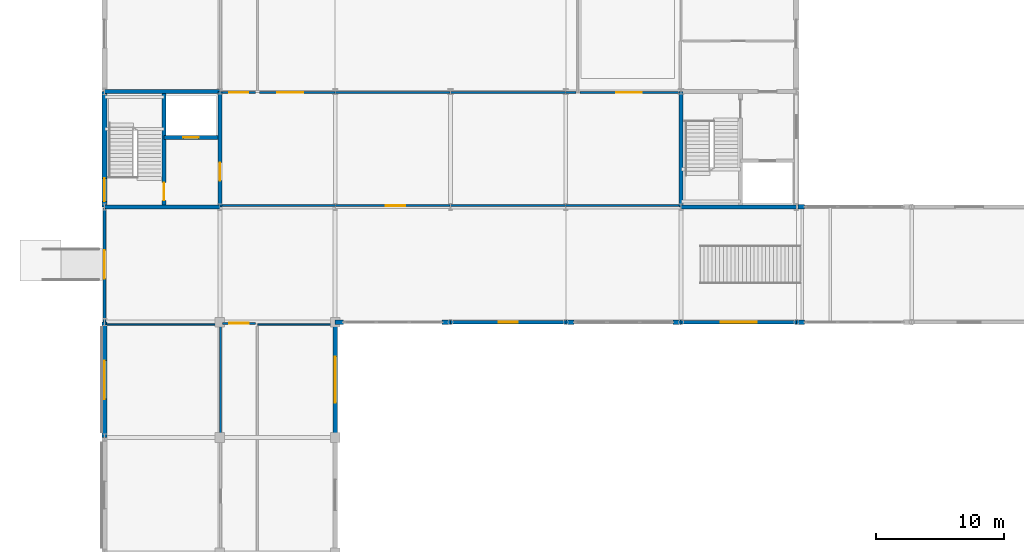
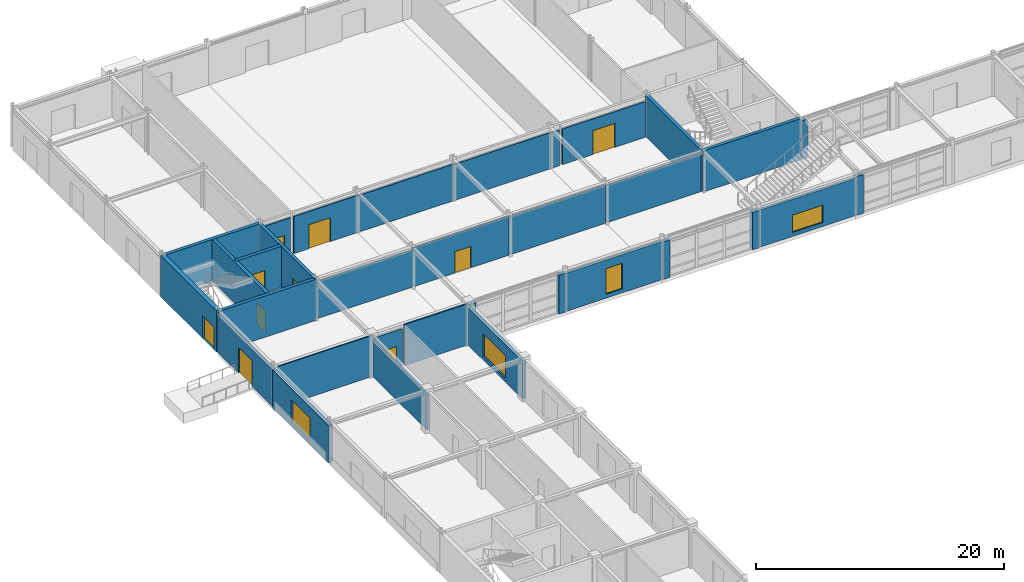
# One storey, part 61 of 72: 33 walls, 10 doors, 4 windows, 14 openings.
"""IFC4 building model written with IfcOpenShell, lengths in metres."""

from ifc_helpers import new_model, si_unit, direction, frame, frame_2d, origin, place, context, subcontext, project, spatial, rectangle, extrude, material, layer, layer_set, type_object, element, fill, save


model = new_model("IFC4")

# Units and contexts
model_context = context("Model", 3, precision=1e-05, world=origin(), true_north=direction((0.0, 1.0)))
body_context = subcontext(model_context, "Body", "Model", "MODEL_VIEW")
ifc_project = project(units=[si_unit("LENGTHUNIT", "METRE"), si_unit("AREAUNIT", "SQUARE_METRE"), si_unit("VOLUMEUNIT", "CUBIC_METRE"), si_unit("PLANEANGLEUNIT", "RADIAN"), si_unit("MASSUNIT", "GRAM", prefix="KILO")], contexts=[model_context])

# Site, building, storey
site_placement = place(None, origin())
site = spatial("IfcSite", under=ifc_project, at=site_placement, CompositionType="ELEMENT")
building_placement = place(site_placement, origin())
building = spatial("IfcBuilding", under=site, at=building_placement, Name="Palais des Congres Ocreval", CompositionType="ELEMENT")
storey_placement = place(building_placement, origin())
storey = spatial("IfcBuildingStorey", under=building, at=storey_placement, Name="L00", CompositionType="ELEMENT", Elevation=0.0)

# Wall, opening, door
ifc_material_1 = material(Name="Concrete C40/50", Category="concrete")
ifc_layer_1 = layer(ifc_material_1, 0.419921875)
ifc_layer_set_1 = layer_set([ifc_layer_1], Name="Congress Stone Facade Wall 420 Concrete C40/50")
wall_type_1 = type_object("IfcWallType", Name="Congress Stone Facade Wall 420 Concrete C40/50", PredefinedType="SOLIDWALL", material=ifc_layer_set_1)
wall_1_placement = place(storey_placement, frame((0.0, 81.0, 0.0), z_axis=(0.0, 0.0, 1.0), x_axis=(0.0, 1.0, 0.0)))
wall_1 = element("IfcWall", 1, at=wall_1_placement, inside=storey, type_object=wall_type_1, Name="Core Perimeter Shear Wall EW02 SC05 L00", PredefinedType="SOLIDWALL", context=body_context, shape_type="SweptSolid", body=[
    extrude(rectangle(XDim=9.0, YDim=0.419921875, at=frame_2d((4.5, 0.0))), origin(), (0.0, 0.0, 1.0), 4.054931640625),
])
opening_1_placement = place(wall_1_placement, frame((0.425048828125, 0.0, 0.0)))
opening_1 = element("IfcOpeningElement", 2, at=opening_1_placement, cuts=wall_1, Name="Opening ED04", PredefinedType="OPENING", context=body_context, shape_type="SweptSolid", body=[
    extrude(rectangle(XDim=1.800048828125, YDim=2.199951171875, at=frame_2d((0.89990234375, 1.10009765625))), frame((0.0, 0.219970703125, 0.0), z_axis=(0.0, -1.0, 0.0), x_axis=(1.0, 0.0, 0.0)), (0.0, 0.0, 1.0), 0.43994140625),
])
ifc_material_2 = material(Name="Anodized bronze aluminium and safety glass", Category="aluminium")
door_type_1 = type_object("IfcDoorType", Name="Stair Street Discharge Door 1800x2200", OperationType="NOTDEFINED", PredefinedType="DOOR", material=ifc_material_2)
door_1_placement = place(opening_1_placement, origin())
door_1 = element("IfcDoor", 3, at=door_1_placement, inside=storey, type_object=door_type_1, Name="Stair Final Exit Discharge Door ST05", OperationType="DOUBLE_DOOR_SINGLE_SWING", OverallHeight=2.199951171875, OverallWidth=1.800048828125, PredefinedType="DOOR", context=body_context, shape_type="SweptSolid", body=[
    extrude(rectangle(XDim=1.800048828125, YDim=2.199951171875, at=frame_2d((0.89990234375, 1.10009765625))), frame((0.0, 0.02490234375, 0.0), z_axis=(0.0, -1.0, 0.0), x_axis=(1.0, 0.0, 0.0)), (0.0, 0.0, 1.0), 0.050048828125),
])
fill(opening_1, door_1)

# Wall
ifc_layer_2 = layer(ifc_material_1, 0.300048828125)
ifc_layer_set_2 = layer_set([ifc_layer_2], Name="Core Shear Wall 300 Concrete C40/50")
wall_type_2 = type_object("IfcWallType", Name="Core Shear Wall 300 Concrete C40/50", PredefinedType="SHEAR", material=ifc_layer_set_2)
wall_2_placement = place(storey_placement, frame((0.0, 81.0, 0.0), z_axis=(0.0, 0.0, 1.0), x_axis=(1.0, 0.0, 0.0)))
element("IfcWall", 4, at=wall_2_placement, inside=storey, type_object=wall_type_2, Name="Core Shear Wall SC05 L00 S", PredefinedType="SHEAR", context=body_context, shape_type="SweptSolid", body=[
    extrude(rectangle(XDim=9.0, YDim=0.300048828125, at=frame_2d((4.5, 0.0))), origin(), (0.0, 0.0, 1.0), 4.054931640625),
])

# Wall, opening, door
wall_3_placement = place(storey_placement, frame((9.0, 81.0, 0.0), z_axis=(0.0, 0.0, 1.0), x_axis=(0.0, 1.0, 0.0)))
wall_3 = element("IfcWall", 5, at=wall_3_placement, inside=storey, type_object=wall_type_2, Name="Core Shear Wall SC05 L00 E", PredefinedType="SHEAR", context=body_context, shape_type="SweptSolid", body=[
    extrude(rectangle(XDim=9.0, YDim=0.300048828125, at=frame_2d((4.5, 0.0))), origin(), (0.0, 0.0, 1.0), 4.054931640625),
])
opening_2_placement = place(wall_3_placement, frame((2.050048828125, 0.0, 0.0)))
opening_2 = element("IfcOpeningElement", 6, at=opening_2_placement, cuts=wall_3, Name="Opening D03", PredefinedType="OPENING", context=body_context, shape_type="SweptSolid", body=[
    extrude(rectangle(XDim=1.39990234375, YDim=2.02001953125, at=frame_2d((0.699951171875, 1.010009765625))), frame((0.0, 0.159912109375, 0.0), z_axis=(0.0, -1.0, 0.0), x_axis=(1.0, 0.0, 0.0)), (0.0, 0.0, 1.0), 0.320068359375),
])
ifc_material_3 = material(Name="Painted fire-rated steel", Category="steel")
door_type_2 = type_object("IfcDoorType", Name="Core Lobby Rated Door 1400x2020", OperationType="NOTDEFINED", PredefinedType="DOOR", material=ifc_material_3)
door_2_placement = place(opening_2_placement, origin())
door_2 = element("IfcDoor", 7, at=door_2_placement, inside=storey, type_object=door_type_2, Name="Lobby Entrance Door SC05 L00", OperationType="DOUBLE_DOOR_SINGLE_SWING", OverallHeight=2.02001953125, OverallWidth=1.39990234375, PredefinedType="DOOR", context=body_context, shape_type="SweptSolid", body=[
    extrude(rectangle(XDim=1.39990234375, YDim=2.02001953125, at=frame_2d((0.699951171875, 1.010009765625))), frame((0.0, 0.02490234375, 0.0), z_axis=(0.0, -1.0, 0.0), x_axis=(1.0, 0.0, 0.0)), (0.0, 0.0, 1.0), 0.050048828125),
])
fill(opening_2, door_2)

# Wall
wall_4_placement = place(storey_placement, frame((0.0, 90.0, 0.0), z_axis=(0.0, 0.0, 1.0), x_axis=(1.0, 0.0, 0.0)))
element("IfcWall", 8, at=wall_4_placement, inside=storey, type_object=wall_type_2, Name="Core Shear Wall SC05 L00 N", PredefinedType="SHEAR", context=body_context, shape_type="SweptSolid", body=[
    extrude(rectangle(XDim=9.0, YDim=0.300048828125, at=frame_2d((4.5, 0.0))), origin(), (0.0, 0.0, 1.0), 4.054931640625),
])

# Wall, opening, door
wall_5_placement = place(storey_placement, frame((4.64990234375, 81.14990234375, 0.0), z_axis=(0.0, 0.0, 1.0), x_axis=(0.0, 1.0, 0.0)))
wall_5 = element("IfcWall", 9, at=wall_5_placement, inside=storey, type_object=wall_type_2, Name="Core Spine Shear Wall SC05 L00", PredefinedType="SHEAR", context=body_context, shape_type="SweptSolid", body=[
    extrude(rectangle(XDim=8.7001953125, YDim=0.300048828125, at=frame_2d((4.35009765625, 0.0))), origin(), (0.0, 0.0, 1.0), 4.054931640625),
])
opening_3_placement = place(wall_5_placement, frame((0.35009765625, 0.0, 0.0)))
opening_3 = element("IfcOpeningElement", 10, at=opening_3_placement, cuts=wall_5, Name="Opening D03", PredefinedType="OPENING", context=body_context, shape_type="SweptSolid", body=[
    extrude(rectangle(XDim=1.39990234375, YDim=2.02001953125, at=frame_2d((0.699951171875, 1.010009765625))), frame((0.0, 0.159912109375, 0.0), z_axis=(0.0, -1.0, 0.0), x_axis=(1.0, 0.0, 0.0)), (0.0, 0.0, 1.0), 0.320068359375),
])
door_3_placement = place(opening_3_placement, origin())
door_3 = element("IfcDoor", 11, at=door_3_placement, inside=storey, type_object=door_type_2, Name="Protected Exit Stair Door ST05 L00", OperationType="SINGLE_SWING_LEFT", OverallHeight=2.02001953125, OverallWidth=1.39990234375, PredefinedType="DOOR", context=body_context, shape_type="SweptSolid", body=[
    extrude(rectangle(XDim=1.39990234375, YDim=2.02001953125, at=frame_2d((0.699951171875, 1.010009765625))), frame((0.0, 0.02490234375, 0.0), z_axis=(0.0, -1.0, 0.0), x_axis=(1.0, 0.0, 0.0)), (0.0, 0.0, 1.0), 0.050048828125),
])
fill(opening_3, door_3)

wall_6_placement = place(storey_placement, frame((4.64990234375, 86.39990234375, 0.0), z_axis=(0.0, 0.0, 1.0), x_axis=(1.0, 0.0, 0.0)))
wall_6 = element("IfcWall", 12, at=wall_6_placement, inside=storey, type_object=wall_type_2, Name="Lift Shaft Front Wall SC05 L00", PredefinedType="SHEAR", context=body_context, shape_type="SweptSolid", body=[
    extrude(rectangle(XDim=4.2001953125, YDim=0.300048828125, at=frame_2d((2.10009765625, 0.0))), origin(), (0.0, 0.0, 1.0), 4.054931640625),
])
opening_4_placement = place(wall_6_placement, frame((1.5, 0.0, 0.0)))
opening_4 = element("IfcOpeningElement", 13, at=opening_4_placement, cuts=wall_6, Name="Opening LD02", PredefinedType="OPENING", context=body_context, shape_type="SweptSolid", body=[
    extrude(rectangle(XDim=1.199951171875, YDim=2.199951171875, at=frame_2d((0.60009765625, 1.10009765625))), frame((0.0, 0.159912109375, 0.0), z_axis=(0.0, -1.0, 0.0), x_axis=(1.0, 0.0, 0.0)), (0.0, 0.0, 1.0), 0.320068359375),
])
ifc_material_4 = material(Name="Anodized bronze steel", Category="steel")
door_type_3 = type_object("IfcDoorType", Name="Passenger and Service Lift Sliding Door 1200x2200", OperationType="NOTDEFINED", PredefinedType="DOOR", material=ifc_material_4)
door_4_placement = place(opening_4_placement, origin())
door_4 = element("IfcDoor", 14, at=door_4_placement, inside=storey, type_object=door_type_3, Name="Lift Landing Sliding Door CL1 L00", OperationType="DOUBLE_DOOR_SLIDING", OverallHeight=2.199951171875, OverallWidth=1.199951171875, PredefinedType="DOOR", context=body_context, shape_type="SweptSolid", body=[
    extrude(rectangle(XDim=1.199951171875, YDim=2.199951171875, at=frame_2d((0.60009765625, 1.10009765625))), frame((0.0, 0.02490234375, 0.0), z_axis=(0.0, -1.0, 0.0), x_axis=(1.0, 0.0, 0.0)), (0.0, 0.0, 1.0), 0.050048828125),
])
fill(opening_4, door_4)

# Walls
for number, where, z_axis, x_axis, name in (
    (15, (45.0, 81.0, 0.0), (0.0, 0.0, 1.0), (1.0, 0.0, 0.0), "Core Shear Wall SC06 L00 S"),
    (16, (45.0, 81.0, 0.0), (0.0, 0.0, 1.0), (0.0, 1.0, 0.0), "Core Shear Wall SC06 L00 W"),
):
    element("IfcWall", number, at=place(storey_placement, frame(where, z_axis=z_axis, x_axis=x_axis)), inside=storey, type_object=wall_type_2, Name=name, PredefinedType="SHEAR", context=body_context, shape_type="SweptSolid", body=[
        extrude(rectangle(XDim=9.0, YDim=0.300048828125, at=frame_2d((4.5, 0.0))), origin(), (0.0, 0.0, 1.0), 4.054931640625),
    ])

# Wall, opening, door
ifc_material_5 = material(Name="Gypsum acoustic partition")
ifc_layer_3 = layer(ifc_material_5, 0.159912109375)
ifc_layer_set_3 = layer_set([ifc_layer_3], Name="Corridor Fire Partition 160 Gypsum (Gypsum acoustic partition)")
wall_type_3 = type_object("IfcWallType", Name="Corridor Fire Partition 160 Gypsum", PredefinedType="PARTITIONING", material=ifc_layer_set_3)
wall_7_placement = place(storey_placement, frame((9.219970703125, 71.909912109375, 0.0), z_axis=(0.0, 0.0, 1.0), x_axis=(1.0, 0.0, 0.0)))
wall_7 = element("IfcWall", 17, at=wall_7_placement, inside=storey, type_object=wall_type_3, Name="Interior Partition IW03 L00", PredefinedType="PARTITIONING", context=body_context, shape_type="SweptSolid", body=[
    extrude(rectangle(XDim=2.56005859375, YDim=0.159912109375, at=frame_2d((1.280029296875, 0.0))), origin(), (0.0, 0.0, 1.0), 3.655029296875),
])
opening_5_placement = place(wall_7_placement, frame((0.530029296875, 0.0, 0.0)))
opening_5 = element("IfcOpeningElement", 18, at=opening_5_placement, cuts=wall_7, Name="Opening D04", PredefinedType="OPENING", context=body_context, shape_type="SweptSolid", body=[
    extrude(rectangle(XDim=1.5, YDim=2.10009765625, at=frame_2d((0.75, 1.050048828125))), frame((0.0, 0.08984375, 0.0), z_axis=(0.0, -1.0, 0.0), x_axis=(1.0, 0.0, 0.0)), (0.0, 0.0, 1.0), 0.179931640625),
])
ifc_material_6 = material(Name="Solid French oak fire door", Category="wood")
door_type_4 = type_object("IfcDoorType", Name="Corridor Compartment Double Door 1500x2100", OperationType="NOTDEFINED", PredefinedType="DOOR", material=ifc_material_6)
door_5_placement = place(opening_5_placement, origin())
door_5 = element("IfcDoor", 19, at=door_5_placement, inside=storey, type_object=door_type_4, Name="Interior Door D04 L00", OperationType="DOUBLE_DOOR_SINGLE_SWING", OverallHeight=2.10009765625, OverallWidth=1.5, PredefinedType="DOOR", context=body_context, shape_type="SweptSolid", body=[
    extrude(rectangle(XDim=1.5, YDim=2.10009765625, at=frame_2d((0.75, 1.050048828125))), frame((0.0, 0.02490234375, 0.0), z_axis=(0.0, -1.0, 0.0), x_axis=(1.0, 0.0, 0.0)), (0.0, 0.0, 1.0), 0.050048828125),
])
fill(opening_5, door_5)

wall_8_placement = place(storey_placement, frame((9.155029296875, 89.925048828125, 0.0), z_axis=(0.0, 0.0, 1.0), x_axis=(1.0, 0.0, 0.0)))
wall_8 = element("IfcWall", 20, at=wall_8_placement, inside=storey, type_object=wall_type_3, Name="Interior Partition IW03 L00", PredefinedType="PARTITIONING", context=body_context, shape_type="SweptSolid", body=[
    extrude(rectangle(XDim=2.625, YDim=0.159912109375, at=frame_2d((1.3125, 0.0))), origin(), (0.0, 0.0, 1.0), 3.655029296875),
])
opening_6_placement = place(wall_8_placement, frame((0.5625, 0.0, 0.0)))
opening_6 = element("IfcOpeningElement", 21, at=opening_6_placement, cuts=wall_8, Name="Opening D04", PredefinedType="OPENING", context=body_context, shape_type="SweptSolid", body=[
    extrude(rectangle(XDim=1.5, YDim=2.10009765625, at=frame_2d((0.75, 1.050048828125))), frame((0.0, 0.08984375, 0.0), z_axis=(0.0, -1.0, 0.0), x_axis=(1.0, 0.0, 0.0)), (0.0, 0.0, 1.0), 0.179931640625),
])
door_6_placement = place(opening_6_placement, origin())
door_6 = element("IfcDoor", 22, at=door_6_placement, inside=storey, type_object=door_type_4, Name="Interior Door D04 L00", OperationType="DOUBLE_DOOR_SINGLE_SWING", OverallHeight=2.10009765625, OverallWidth=1.5, PredefinedType="DOOR", context=body_context, shape_type="SweptSolid", body=[
    extrude(rectangle(XDim=1.5, YDim=2.10009765625, at=frame_2d((0.75, 1.050048828125))), frame((0.0, 0.02490234375, 0.0), z_axis=(0.0, -1.0, 0.0), x_axis=(1.0, 0.0, 0.0)), (0.0, 0.0, 1.0), 0.050048828125),
])
fill(opening_6, door_6)

wall_9_placement = place(storey_placement, frame((12.090087890625, 89.93505859375, 0.0), z_axis=(0.0, 0.0, 1.0), x_axis=(1.0, 0.0, 0.0)))
wall_9 = element("IfcWall", 23, at=wall_9_placement, inside=storey, type_object=wall_type_3, Name="Interior Partition IW03 L00", PredefinedType="PARTITIONING", context=body_context, shape_type="SweptSolid", body=[
    extrude(rectangle(XDim=5.889892578125, YDim=0.159912109375, at=frame_2d((2.94482421875, 0.0))), origin(), (0.0, 0.0, 1.0), 3.655029296875),
])
opening_7_placement = place(wall_9_placement, frame((1.39990234375, 0.0, 0.0)))
opening_7 = element("IfcOpeningElement", 24, at=opening_7_placement, cuts=wall_9, Name="Opening D13", PredefinedType="OPENING", context=body_context, shape_type="SweptSolid", body=[
    extrude(rectangle(XDim=2.0, YDim=2.35009765625, at=frame_2d((1.0, 1.175048828125))), frame((0.0, 0.08984375, 0.0), z_axis=(0.0, -1.0, 0.0), x_axis=(1.0, 0.0, 0.0)), (0.0, 0.0, 1.0), 0.179931640625),
])
ifc_material_7 = material(Name="Acoustic oak and bronze", Category="wood")
door_type_5 = type_object("IfcDoorType", Name="Congress Hall Acoustic Double Door 2000x2350", OperationType="NOTDEFINED", PredefinedType="DOOR", material=ifc_material_7)
door_7_placement = place(opening_7_placement, origin())
door_7 = element("IfcDoor", 25, at=door_7_placement, inside=storey, type_object=door_type_5, Name="Interior Door D13 L00", OperationType="DOUBLE_DOOR_SINGLE_SWING", OverallHeight=2.35009765625, OverallWidth=2.0, PredefinedType="DOOR", context=body_context, shape_type="SweptSolid", body=[
    extrude(rectangle(XDim=2.0, YDim=2.35009765625, at=frame_2d((1.0, 1.175048828125))), frame((0.0, 0.02490234375, 0.0), z_axis=(0.0, -1.0, 0.0), x_axis=(1.0, 0.0, 0.0)), (0.0, 0.0, 1.0), 0.050048828125),
])
fill(opening_7, door_7)

wall_10_placement = place(storey_placement, frame((37.090087890625, 89.93505859375, 0.0), z_axis=(0.0, 0.0, 1.0), x_axis=(1.0, 0.0, 0.0)))
wall_10 = element("IfcWall", 26, at=wall_10_placement, inside=storey, type_object=wall_type_3, Name="Interior Partition IW03 L00", PredefinedType="PARTITIONING", context=body_context, shape_type="SweptSolid", body=[
    extrude(rectangle(XDim=7.68994140625, YDim=0.159912109375, at=frame_2d((3.844970703125, 0.0))), origin(), (0.0, 0.0, 1.0), 3.5048828125),
])
opening_8_placement = place(wall_10_placement, frame((2.844970703125, 0.0, 0.0)))
opening_8 = element("IfcOpeningElement", 27, at=opening_8_placement, cuts=wall_10, Name="Opening D13", PredefinedType="OPENING", context=body_context, shape_type="SweptSolid", body=[
    extrude(rectangle(XDim=2.0, YDim=2.35009765625, at=frame_2d((1.0, 1.175048828125))), frame((0.0, 0.08984375, 0.0), z_axis=(0.0, -1.0, 0.0), x_axis=(1.0, 0.0, 0.0)), (0.0, 0.0, 1.0), 0.179931640625),
])
door_8_placement = place(opening_8_placement, origin())
door_8 = element("IfcDoor", 28, at=door_8_placement, inside=storey, type_object=door_type_5, Name="Interior Door D13 L00", OperationType="DOUBLE_DOOR_SINGLE_SWING", OverallHeight=2.35009765625, OverallWidth=2.0, PredefinedType="DOOR", context=body_context, shape_type="SweptSolid", body=[
    extrude(rectangle(XDim=2.0, YDim=2.35009765625, at=frame_2d((1.0, 1.175048828125))), frame((0.0, 0.02490234375, 0.0), z_axis=(0.0, -1.0, 0.0), x_axis=(1.0, 0.0, 0.0)), (0.0, 0.0, 1.0), 0.050048828125),
])
fill(opening_8, door_8)

# Walls
wall_11_placement = place(storey_placement, frame((9.155029296875, 81.090087890625, 0.0), z_axis=(0.0, 0.0, 1.0), x_axis=(1.0, 0.0, 0.0)))
element("IfcWall", 29, at=wall_11_placement, inside=storey, type_object=wall_type_3, Name="Interior Partition IW03 L00", PredefinedType="PARTITIONING", context=body_context, shape_type="SweptSolid", body=[
    extrude(rectangle(XDim=8.864990234375, YDim=0.159912109375, at=frame_2d((4.4326171875, 0.0))), origin(), (0.0, 0.0, 1.0), 3.655029296875),
])
wall_12_placement = place(storey_placement, frame((9.06494140625, 62.97998046875, 0.0), z_axis=(0.0, 0.0, 1.0), x_axis=(0.0, 1.0, 0.0)))
element("IfcWall", 30, at=wall_12_placement, inside=storey, type_object=wall_type_3, Name="Interior Partition IW03 L00", PredefinedType="PARTITIONING", context=body_context, shape_type="SweptSolid", body=[
    extrude(rectangle(XDim=8.68994140625, YDim=0.159912109375, at=frame_2d((4.344970703125, 0.0))), origin(), (0.0, 0.0, 1.0), 3.614990234375),
])
wall_13_placement = place(storey_placement, frame((17.97998046875, 89.93505859375, 0.0), z_axis=(0.0, 0.0, 1.0), x_axis=(1.0, 0.0, 0.0)))
element("IfcWall", 31, at=wall_13_placement, inside=storey, type_object=wall_type_3, Name="Interior Partition IW03 L00", PredefinedType="PARTITIONING", context=body_context, shape_type="SweptSolid", body=[
    extrude(rectangle(XDim=9.0, YDim=0.159912109375, at=frame_2d((4.5, 0.0))), origin(), (0.0, 0.0, 1.0), 3.60498046875),
])
wall_14_placement = place(storey_placement, frame((26.97998046875, 89.93505859375, 0.0), z_axis=(0.0, 0.0, 1.0), x_axis=(1.0, 0.0, 0.0)))
element("IfcWall", 32, at=wall_14_placement, inside=storey, type_object=wall_type_3, Name="Interior Partition IW03 L00", PredefinedType="PARTITIONING", context=body_context, shape_type="SweptSolid", body=[
    extrude(rectangle(XDim=9.0, YDim=0.159912109375, at=frame_2d((4.5, 0.0))), origin(), (0.0, 0.0, 1.0), 3.554931640625),
])
wall_15_placement = place(storey_placement, frame((35.97998046875, 89.93505859375, 0.0), z_axis=(0.0, 0.0, 1.0), x_axis=(1.0, 0.0, 0.0)))
element("IfcWall", 33, at=wall_15_placement, inside=storey, type_object=wall_type_3, Name="Interior Partition IW03 L00", PredefinedType="PARTITIONING", context=body_context, shape_type="SweptSolid", body=[
    extrude(rectangle(XDim=0.800048828125, YDim=0.159912109375, at=frame_2d((0.39990234375, 0.0))), origin(), (0.0, 0.0, 1.0), 3.5048828125),
])

# Wall, opening, door
wall_16_placement = place(storey_placement, frame((18.02001953125, 81.090087890625, 0.0), z_axis=(0.0, 0.0, 1.0), x_axis=(1.0, 0.0, 0.0)))
wall_16 = element("IfcWall", 34, at=wall_16_placement, inside=storey, type_object=wall_type_3, Name="Interior Partition IW03 L00", PredefinedType="PARTITIONING", context=body_context, shape_type="SweptSolid", body=[
    extrude(rectangle(XDim=8.9599609375, YDim=0.159912109375, at=frame_2d((4.47998046875, 0.0))), origin(), (0.0, 0.0, 1.0), 3.824951171875),
])
opening_9_placement = place(wall_16_placement, frame((3.947265625, 0.0, 0.0)))
opening_9 = element("IfcOpeningElement", 35, at=opening_9_placement, cuts=wall_16, Name="Opening D04", PredefinedType="OPENING", context=body_context, shape_type="SweptSolid", body=[
    extrude(rectangle(XDim=1.5, YDim=2.10009765625, at=frame_2d((0.75, 1.050048828125))), frame((0.0, 0.08984375, 0.0), z_axis=(0.0, -1.0, 0.0), x_axis=(1.0, 0.0, 0.0)), (0.0, 0.0, 1.0), 0.179931640625),
])
door_9_placement = place(opening_9_placement, origin())
door_9 = element("IfcDoor", 36, at=door_9_placement, inside=storey, type_object=door_type_4, Name="Interior Door D04 L00", OperationType="DOUBLE_DOOR_SINGLE_SWING", OverallHeight=2.10009765625, OverallWidth=1.5, PredefinedType="DOOR", context=body_context, shape_type="SweptSolid", body=[
    extrude(rectangle(XDim=1.5, YDim=2.10009765625, at=frame_2d((0.75, 1.050048828125))), frame((0.0, 0.02490234375, 0.0), z_axis=(0.0, -1.0, 0.0), x_axis=(1.0, 0.0, 0.0)), (0.0, 0.0, 1.0), 0.050048828125),
])
fill(opening_9, door_9)

# Walls
wall_17_placement = place(storey_placement, frame((26.97998046875, 81.090087890625, 0.0), z_axis=(0.0, 0.0, 1.0), x_axis=(1.0, 0.0, 0.0)))
element("IfcWall", 37, at=wall_17_placement, inside=storey, type_object=wall_type_3, Name="Interior Partition IW03 L00", PredefinedType="PARTITIONING", context=body_context, shape_type="SweptSolid", body=[
    extrude(rectangle(XDim=9.0, YDim=0.159912109375, at=frame_2d((4.5, 0.0))), origin(), (0.0, 0.0, 1.0), 3.7548828125),
])
wall_18_placement = place(storey_placement, frame((35.97998046875, 81.090087890625, 0.0), z_axis=(0.0, 0.0, 1.0), x_axis=(1.0, 0.0, 0.0)))
element("IfcWall", 38, at=wall_18_placement, inside=storey, type_object=wall_type_3, Name="Interior Partition IW03 L00", PredefinedType="PARTITIONING", context=body_context, shape_type="SweptSolid", body=[
    extrude(rectangle(XDim=8.864990234375, YDim=0.159912109375, at=frame_2d((4.4326171875, 0.0))), origin(), (0.0, 0.0, 1.0), 3.695068359375),
])

# Wall, opening, window
ifc_layer_4 = layer(ifc_material_1, 0.3798828125)
ifc_layer_set_4 = layer_set([ifc_layer_4], Name="Lutetian Limestone Street Wall 380 Concrete C40/50")
wall_type_4 = type_object("IfcWallType", Name="Lutetian Limestone Street Wall 380 Concrete C40/50", PredefinedType="SOLIDWALL", material=ifc_layer_set_4)
wall_19_placement = place(storey_placement, frame((0.0, 63.0, 0.0), z_axis=(0.0, 0.0, 1.0), x_axis=(0.0, 1.0, 0.0)))
wall_19 = element("IfcWall", 39, at=wall_19_placement, inside=storey, type_object=wall_type_4, Name="Exterior Wall EW03 L00", PredefinedType="SOLIDWALL", context=body_context, shape_type="SweptSolid", body=[
    extrude(rectangle(XDim=9.0, YDim=0.3798828125, at=frame_2d((4.5, 0.0))), origin(), (0.0, 0.0, 1.0), 3.695068359375),
])
opening_10_placement = place(wall_19_placement, frame((3.0, 0.0, 0.39990234375)))
opening_10 = element("IfcOpeningElement", 40, at=opening_10_placement, cuts=wall_19, Name="Opening WN07", PredefinedType="OPENING", context=body_context, shape_type="SweptSolid", body=[
    extrude(rectangle(XDim=3.0, YDim=2.199951171875, at=frame_2d((1.5, 1.10009765625))), frame((0.0, 0.199951171875, 0.0), z_axis=(0.0, -1.0, 0.0), x_axis=(1.0, 0.0, 0.0)), (0.0, 0.0, 1.0), 0.39990234375),
])
ifc_material_8 = material(Name="Anodized bronze aluminium and low-E glass", Category="glass")
window_type_1 = type_object("IfcWindowType", Name="Crown Belvedere Window 3000x2200", PartitioningType="SINGLE_PANEL", PredefinedType="WINDOW", material=ifc_material_8)
window_1_placement = place(opening_10_placement, origin())
window_1 = element("IfcWindow", 41, at=window_1_placement, inside=storey, type_object=window_type_1, Name="Facade Window WN07", OverallHeight=2.199951171875, OverallWidth=3.0, PartitioningType="SINGLE_PANEL", PredefinedType="WINDOW", context=body_context, shape_type="SweptSolid", body=[
    extrude(rectangle(XDim=3.0, YDim=2.199951171875, at=frame_2d((1.5, 1.10009765625))), frame((0.0, 0.030029296875, 0.0), z_axis=(0.0, -1.0, 0.0), x_axis=(1.0, 0.0, 0.0)), (0.0, 0.0, 1.0), 0.06005859375),
])
fill(opening_10, window_1)

# Wall
ifc_layer_5 = layer(ifc_material_1, 0.340087890625)
ifc_layer_set_5 = layer_set([ifc_layer_5], Name="Ochre Mineral-Lime Courtyard Wall 340 Concrete C40/50")
wall_type_5 = type_object("IfcWallType", Name="Ochre Mineral-Lime Courtyard Wall 340 Concrete C40/50", PredefinedType="SOLIDWALL", material=ifc_layer_set_5)
wall_20_placement = place(storey_placement, frame((54.1298828125, 81.0, 0.0), z_axis=(0.0, 0.0, 1.0), x_axis=(1.0, 0.0, 0.0)))
element("IfcWall", 42, at=wall_20_placement, inside=storey, type_object=wall_type_5, Name="Facade Pier EW04 L00", PredefinedType="SOLIDWALL", context=body_context, shape_type="SweptSolid", body=[
    extrude(rectangle(XDim=0.52001953125, YDim=0.340087890625, at=frame_2d((0.260009765625, 0.0))), origin(), (0.0, 0.0, 1.0), 3.824951171875),
])

# Wall, opening, window
wall_21_placement = place(storey_placement, frame((18.0, 71.844970703125, 0.0), z_axis=(0.0, 0.0, 1.0), x_axis=(0.0, -1.0, 0.0)))
wall_21 = element("IfcWall", 43, at=wall_21_placement, inside=storey, type_object=wall_type_5, Name="Exterior Wall EW04 L00", PredefinedType="SOLIDWALL", context=body_context, shape_type="SweptSolid", body=[
    extrude(rectangle(XDim=8.844970703125, YDim=0.340087890625, at=frame_2d((4.42236328125, 0.0))), origin(), (0.0, 0.0, 1.0), 3.695068359375),
])
opening_11_placement = place(wall_21_placement, frame((2.544921875, 0.0, 0.39990234375)))
opening_11 = element("IfcOpeningElement", 44, at=opening_11_placement, cuts=wall_21, Name="Opening WN08", PredefinedType="OPENING", context=body_context, shape_type="SweptSolid", body=[
    extrude(rectangle(XDim=3.60009765625, YDim=2.199951171875, at=frame_2d((1.800048828125, 1.10009765625))), frame((0.0, 0.179931640625, 0.0), z_axis=(0.0, -1.0, 0.0), x_axis=(1.0, 0.0, 0.0)), (0.0, 0.0, 1.0), 0.360107421875),
])
window_type_2 = type_object("IfcWindowType", Name="Crown Salon Window 3600x2200", PartitioningType="SINGLE_PANEL", PredefinedType="WINDOW", material=ifc_material_8)
window_2_placement = place(opening_11_placement, origin())
window_2 = element("IfcWindow", 45, at=window_2_placement, inside=storey, type_object=window_type_2, Name="Facade Window WN08", OverallHeight=2.199951171875, OverallWidth=3.60009765625, PartitioningType="SINGLE_PANEL", PredefinedType="WINDOW", context=body_context, shape_type="SweptSolid", body=[
    extrude(rectangle(XDim=3.60009765625, YDim=2.199951171875, at=frame_2d((1.800048828125, 1.10009765625))), frame((0.0, 0.030029296875, 0.0), z_axis=(0.0, -1.0, 0.0), x_axis=(1.0, 0.0, 0.0)), (0.0, 0.0, 1.0), 0.06005859375),
])
fill(opening_11, window_2)

# Walls
wall_22_placement = place(storey_placement, frame((54.64990234375, 72.0, 0.0), z_axis=(0.0, 0.0, 1.0), x_axis=(-1.0, 0.0, 0.0)))
element("IfcWall", 46, at=wall_22_placement, inside=storey, type_object=wall_type_5, Name="Facade Pier EW04 L00", PredefinedType="SOLIDWALL", context=body_context, shape_type="SweptSolid", body=[
    extrude(rectangle(XDim=0.64990234375, YDim=0.340087890625, at=frame_2d((0.324951171875, 0.0))), origin(), (0.0, 0.0, 1.0), 3.824951171875),
])
for number, where, z_axis, x_axis, name in (
    (47, (45.0, 72.0, 0.0), (0.0, 0.0, 1.0), (-1.0, 0.0, 0.0), "Facade Pier EW04 L00"),
    (48, (36.64990234375, 72.0, 0.0), (0.0, 0.0, 1.0), (-1.0, 0.0, 0.0), "Facade Pier EW04 L00"),
):
    element("IfcWall", number, at=place(storey_placement, frame(where, z_axis=z_axis, x_axis=x_axis)), inside=storey, type_object=wall_type_5, Name=name, PredefinedType="SOLIDWALL", context=body_context, shape_type="SweptSolid", body=[
        extrude(rectangle(XDim=0.64990234375, YDim=0.340087890625, at=frame_2d((0.324951171875, 0.0))), origin(), (0.0, 0.0, 1.0), 3.695068359375),
    ])
for number, where, z_axis, x_axis, name in (
    (49, (27.0, 72.0, 0.0), (0.0, 0.0, 1.0), (-1.0, 0.0, 0.0), "Facade Pier EW04 L00"),
    (50, (18.64990234375, 72.0, 0.0), (0.0, 0.0, 1.0), (-1.0, 0.0, 0.0), "Facade Pier EW04 L00"),
):
    element("IfcWall", number, at=place(storey_placement, frame(where, z_axis=z_axis, x_axis=x_axis)), inside=storey, type_object=wall_type_5, Name=name, PredefinedType="SOLIDWALL", context=body_context, shape_type="SweptSolid", body=[
        extrude(rectangle(XDim=0.64990234375, YDim=0.340087890625, at=frame_2d((0.324951171875, 0.0))), origin(), (0.0, 0.0, 1.0), 3.824951171875),
    ])

# Wall, opening, door
ifc_layer_6 = layer(ifc_material_1, 0.260009765625)
ifc_layer_set_6 = layer_set([ifc_layer_6], Name="Sawtooth Clerestory Wall 260 Concrete C40/50")
wall_type_6 = type_object("IfcWallType", Name="Sawtooth Clerestory Wall 260 Concrete C40/50", PredefinedType="SOLIDWALL", material=ifc_layer_set_6)
wall_23_placement = place(storey_placement, frame((0.0, 72.0, 0.0), z_axis=(0.0, 0.0, 1.0), x_axis=(0.0, 1.0, 0.0)))
wall_23 = element("IfcWall", 51, at=wall_23_placement, inside=storey, type_object=wall_type_6, Name="Exterior Wall EW06 L00", PredefinedType="SOLIDWALL", context=body_context, shape_type="SweptSolid", body=[
    extrude(rectangle(XDim=8.8701171875, YDim=0.260009765625, at=frame_2d((4.43505859375, 0.0))), origin(), (0.0, 0.0, 1.0), 3.655029296875),
])
opening_12_placement = place(wall_23_placement, frame((3.39990234375, 0.0, 0.0)))
opening_12 = element("IfcOpeningElement", 52, at=opening_12_placement, cuts=wall_23, Name="Opening ED02", PredefinedType="OPENING", context=body_context, shape_type="SweptSolid", body=[
    extrude(rectangle(XDim=2.199951171875, YDim=2.5, at=frame_2d((1.10009765625, 1.25))), frame((0.0, 0.139892578125, 0.0), z_axis=(0.0, -1.0, 0.0), x_axis=(1.0, 0.0, 0.0)), (0.0, 0.0, 1.0), 0.280029296875),
])
door_type_6 = type_object("IfcDoorType", Name="Congress Grand Final Exit Door 2200x2500", OperationType="NOTDEFINED", PredefinedType="DOOR", material=ifc_material_2)
door_10_placement = place(opening_12_placement, origin())
door_10 = element("IfcDoor", 53, at=door_10_placement, inside=storey, type_object=door_type_6, Name="Pedestrian Final Exit Door E08", OperationType="DOUBLE_DOOR_SINGLE_SWING", OverallHeight=2.5, OverallWidth=2.199951171875, PredefinedType="DOOR", context=body_context, shape_type="SweptSolid", body=[
    extrude(rectangle(XDim=2.199951171875, YDim=2.5, at=frame_2d((1.10009765625, 1.25))), frame((0.0, 0.02490234375, 0.0), z_axis=(0.0, -1.0, 0.0), x_axis=(1.0, 0.0, 0.0)), (0.0, 0.0, 1.0), 0.050048828125),
])
fill(opening_12, door_10)

# Wall, opening, window
wall_24_placement = place(storey_placement, frame((54.0, 72.0, 0.0), z_axis=(0.0, 0.0, 1.0), x_axis=(-1.0, 0.0, 0.0)))
wall_24 = element("IfcWall", 54, at=wall_24_placement, inside=storey, type_object=wall_type_6, Name="Exterior Wall EW06 L00", PredefinedType="SOLIDWALL", context=body_context, shape_type="SweptSolid", body=[
    extrude(rectangle(XDim=9.0, YDim=0.260009765625, at=frame_2d((4.5, 0.0))), origin(), (0.0, 0.0, 1.0), 3.655029296875),
])
opening_13_placement = place(wall_24_placement, frame((3.10009765625, 0.0, 0.39990234375)))
opening_13 = element("IfcOpeningElement", 55, at=opening_13_placement, cuts=wall_24, Name="Opening WN14", PredefinedType="OPENING", context=body_context, shape_type="SweptSolid", body=[
    extrude(rectangle(XDim=2.800048828125, YDim=1.699951171875, at=frame_2d((1.39990234375, 0.85009765625))), frame((0.0, 0.139892578125, 0.0), z_axis=(0.0, -1.0, 0.0), x_axis=(1.0, 0.0, 0.0)), (0.0, 0.0, 1.0), 0.280029296875),
])
window_type_3 = type_object("IfcWindowType", Name="Boardroom Ribbon Window 2800x1700", PartitioningType="SINGLE_PANEL", PredefinedType="WINDOW", material=ifc_material_8)
window_3_placement = place(opening_13_placement, origin())
window_3 = element("IfcWindow", 56, at=window_3_placement, inside=storey, type_object=window_type_3, Name="Facade Window WN14", OverallHeight=1.699951171875, OverallWidth=2.800048828125, PartitioningType="SINGLE_PANEL", PredefinedType="WINDOW", context=body_context, shape_type="SweptSolid", body=[
    extrude(rectangle(XDim=2.800048828125, YDim=1.699951171875, at=frame_2d((1.39990234375, 0.85009765625))), frame((0.0, 0.030029296875, 0.0), z_axis=(0.0, -1.0, 0.0), x_axis=(1.0, 0.0, 0.0)), (0.0, 0.0, 1.0), 0.06005859375),
])
fill(opening_13, window_3)

wall_25_placement = place(storey_placement, frame((36.0, 72.0, 0.0), z_axis=(0.0, 0.0, 1.0), x_axis=(-1.0, 0.0, 0.0)))
wall_25 = element("IfcWall", 57, at=wall_25_placement, inside=storey, type_object=wall_type_6, Name="Exterior Wall EW06 L00", PredefinedType="SOLIDWALL", context=body_context, shape_type="SweptSolid", body=[
    extrude(rectangle(XDim=9.0, YDim=0.260009765625, at=frame_2d((4.5, 0.0))), origin(), (0.0, 0.0, 1.0), 3.7548828125),
])
opening_14_placement = place(wall_25_placement, frame((3.75, 0.0, 0.39990234375)))
opening_14 = element("IfcOpeningElement", 58, at=opening_14_placement, cuts=wall_25, Name="Opening WN16", PredefinedType="OPENING", context=body_context, shape_type="SweptSolid", body=[
    extrude(rectangle(XDim=1.5, YDim=2.5, at=frame_2d((0.75, 1.25))), frame((0.0, 0.139892578125, 0.0), z_axis=(0.0, -1.0, 0.0), x_axis=(1.0, 0.0, 0.0)), (0.0, 0.0, 1.0), 0.280029296875),
])
window_type_4 = type_object("IfcWindowType", Name="Congress Foyer Tall Window 1500x2500", PartitioningType="SINGLE_PANEL", PredefinedType="WINDOW", material=ifc_material_8)
window_4_placement = place(opening_14_placement, origin())
window_4 = element("IfcWindow", 59, at=window_4_placement, inside=storey, type_object=window_type_4, Name="Facade Window WN16", OverallHeight=2.5, OverallWidth=1.5, PartitioningType="SINGLE_PANEL", PredefinedType="WINDOW", context=body_context, shape_type="SweptSolid", body=[
    extrude(rectangle(XDim=1.5, YDim=2.5, at=frame_2d((0.75, 1.25))), frame((0.0, 0.030029296875, 0.0), z_axis=(0.0, -1.0, 0.0), x_axis=(1.0, 0.0, 0.0)), (0.0, 0.0, 1.0), 0.06005859375),
])
fill(opening_14, window_4)

# Walls
ifc_material_9 = material(Name="Gypsum board partition")
ifc_layer_7 = layer(ifc_material_9, 0.1201171875)
ifc_layer_set_7 = layer_set([ifc_layer_7], Name="Suite Subdivision Partition 120 Gypsum (Gypsum board partition)")
wall_type_7 = type_object("IfcWallType", Name="Suite Subdivision Partition 120 Gypsum", PredefinedType="PARTITIONING", material=ifc_layer_set_7)
wall_26_placement = place(storey_placement, frame((0.135009765625, 71.824951171875, 0.0), z_axis=(0.0, 0.0, 1.0), x_axis=(1.0, 0.0, 0.0)))
element("IfcWall", 60, at=wall_26_placement, inside=storey, type_object=wall_type_7, Name="Interior Partition IW04 L00", PredefinedType="PARTITIONING", context=body_context, shape_type="SweptSolid", body=[
    extrude(rectangle(XDim=8.925048828125, YDim=0.1201171875, at=frame_2d((4.46240234375, 0.0))), origin(), (0.0, 0.0, 1.0), 4.054931640625),
])
wall_27_placement = place(storey_placement, frame((11.93994140625, 71.824951171875, 0.0), z_axis=(0.0, 0.0, 1.0), x_axis=(1.0, 0.0, 0.0)))
element("IfcWall", 61, at=wall_27_placement, inside=storey, type_object=wall_type_7, Name="Interior Partition IW04 L00", PredefinedType="PARTITIONING", context=body_context, shape_type="SweptSolid", body=[
    extrude(rectangle(XDim=5.885009765625, YDim=0.1201171875, at=frame_2d((2.9423828125, 0.0))), origin(), (0.0, 0.0, 1.0), 4.054931640625),
])

save(model, "model.ifc")
